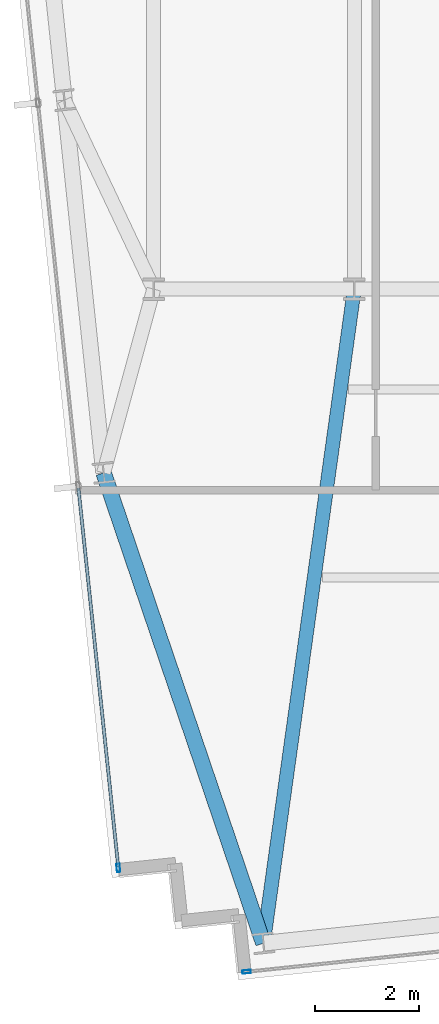
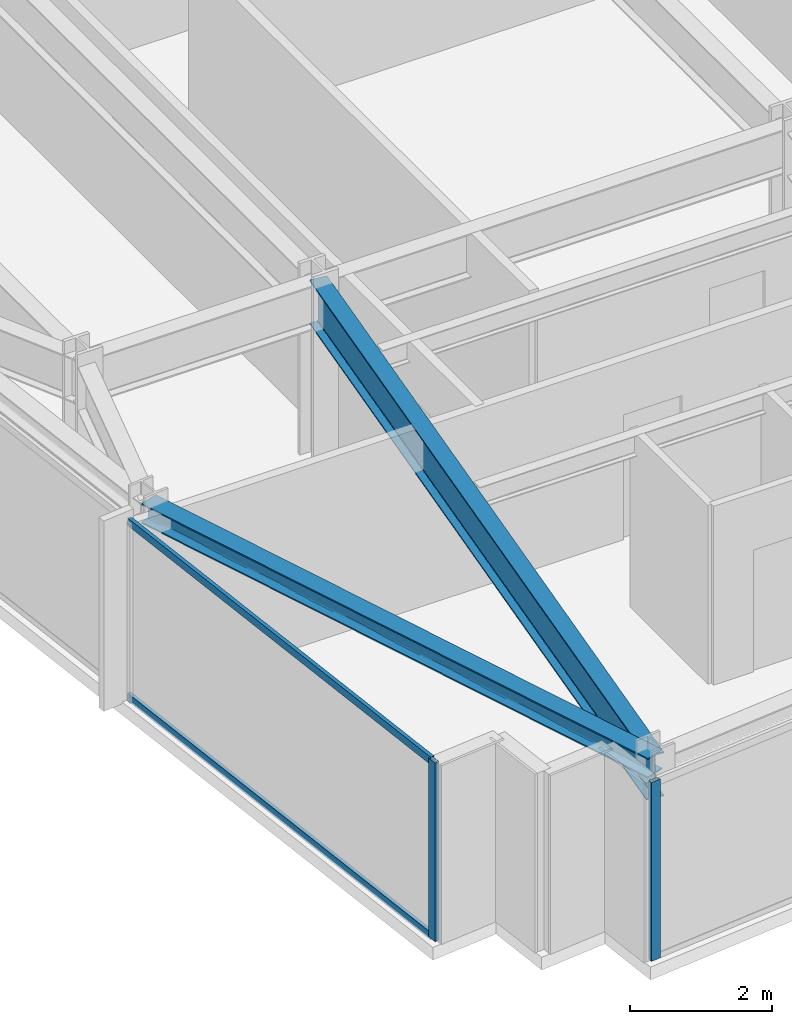
# One storey, part 2 of 33: 4 members, 2 beams, 2 elements without a shape of their own.
"""IFC4 building model written with IfcOpenShell, lengths in metres."""

from ifc_helpers import new_model, si_unit, direction, frame, origin, origin_2d, place, context, subcontext, project, spatial, hollow_rectangle, i_section, extrude, material, material_profile, profile_set, type_object, element, aggregate, save


model = new_model("IFC4")

# Units and contexts
model_context = context("Model", 3, precision=1e-05, world=origin(), true_north=direction((0.0, 1.0)))
body_context = subcontext(model_context, "Body", "Model", "MODEL_VIEW")
ifc_project = project(units=[si_unit("LENGTHUNIT", "METRE"), si_unit("AREAUNIT", "SQUARE_METRE"), si_unit("VOLUMEUNIT", "CUBIC_METRE"), si_unit("PLANEANGLEUNIT", "RADIAN"), si_unit("MASSUNIT", "GRAM", prefix="KILO")], contexts=[model_context])

# Site, building, storey
site_placement = place(None, origin())
site = spatial("IfcSite", under=ifc_project, at=site_placement, CompositionType="ELEMENT")
building_placement = place(site_placement, origin())
building = spatial("IfcBuilding", under=site, at=building_placement, Name="Yelkora Congress Tower", CompositionType="ELEMENT")
storey_placement = place(building_placement, frame((0.0, 0.0, 227.60009765625)))
storey = spatial("IfcBuildingStorey", under=building, at=storey_placement, Name="L63", CompositionType="ELEMENT", Elevation=227.60009765625)

# Beams
ifc_material_1 = material(Name="Steel S355J2", Category="steel")
ifc_material_profile_1 = material_profile(ifc_material_1, i_section(OverallWidth=0.26708984375, OverallDepth=0.761962890625, WebThickness=0.014404296875, FlangeThickness=0.021484375, FilletRadius=0.01708984375, at=origin_2d()), Name="IPE 750x173")
ifc_profile_set_1 = profile_set([ifc_material_profile_1], Name="Steel S355J2")
beam_type_1 = type_object("IfcBeamType", Name="BM-GIRD-IPE750", PredefinedType="BEAM", material=ifc_profile_set_1)
beam_1_placement = place(storey_placement, frame((21.299072265625, 12.678466796875, 2.698974609375), z_axis=(0.137713626184, 0.990472088028, 0.0), x_axis=(-0.990472088028, 0.137713626184, 0.0)))
element("IfcBeam", 1, at=beam_1_placement, inside=storey, type_object=beam_type_1, Name="L63 Primary Frame Girder S01", PredefinedType="BEAM", context=body_context, shape_type="SweptSolid", body=[
    extrude(i_section(OverallWidth=0.26708984375, OverallDepth=0.761962890625, WebThickness=0.014404296875, FlangeThickness=0.021484375, FilletRadius=0.01708984375, at=origin_2d()), origin(), (0.0, 0.0, 1.0), 12.641845703125),
])
ifc_material_profile_2 = material_profile(ifc_material_1, i_section(OverallWidth=0.300048828125, OverallDepth=0.340087890625, WebThickness=0.011962890625, FlangeThickness=0.021484375, FilletRadius=0.027099609375, at=origin_2d()), Name="HEB 340")
ifc_profile_set_2 = profile_set([ifc_material_profile_2], Name="Steel S355J2")
beam_type_2 = type_object("IfcBeamType", Name="BM-SPAN-HEB340", PredefinedType="SPANDREL", material=ifc_profile_set_2)
beam_2_placement = place(storey_placement, frame((18.2412109375, 21.68310546875, 2.909912109375), z_axis=(0.321552459514, -0.94689176561, 0.0), x_axis=(0.94689176561, 0.321552459514, 0.0)))
element("IfcBeam", 2, at=beam_2_placement, inside=storey, type_object=beam_type_2, Name="L63 Perimeter Beam 2", PredefinedType="SPANDREL", context=body_context, shape_type="SweptSolid", body=[
    extrude(i_section(OverallWidth=0.300048828125, OverallDepth=0.340087890625, WebThickness=0.011962890625, FlangeThickness=0.021484375, FilletRadius=0.027099609375, at=origin_2d()), origin(), (0.0, 0.0, 1.0), 9.509765625),
])

# Curtain wall, member
ifc_material_2 = material(Name="Anodised aluminium and insulated glass", Category="aluminium")
curtain_wall_type = type_object("IfcCurtainWallType", Name="CW-SYS-B4", PredefinedType="NOTDEFINED", material=ifc_material_2)
curtain_wall_1_placement = place(storey_placement, origin())
curtain_wall_1 = element("IfcCurtainWall", 3, at=curtain_wall_1_placement, inside=storey, type_object=curtain_wall_type, Name="L63 Unitised Curtain Wall 5", PredefinedType="NOTDEFINED")
ifc_material_3 = material(Name="Anodised aluminium 6063-T6", Category="aluminium")
ifc_material_profile_3 = material_profile(ifc_material_3, hollow_rectangle(XDim=0.06494140625, YDim=0.159912109375, WallThickness=0.00390625, at=origin_2d()), Name="ALU 65x160x4")
ifc_profile_set_3 = profile_set([ifc_material_profile_3], Name="Anodised aluminium 6063-T6")
member_type_1 = type_object("IfcMemberType", Name="MEM-ML-B4", PredefinedType="MULLION", material=ifc_profile_set_3)
member_1_placement = place(storey_placement, frame((18.523193359375, 14.118896484375, 0.0), z_axis=(0.0, 0.0, 1.0), x_axis=(-0.994522145958, -0.104526079034, 0.0)))
member_1 = element("IfcMember", 4, at=member_1_placement, type_object=member_type_1, Name="CW-B4 mullion 1", PredefinedType="MULLION", context=body_context, shape_type="SweptSolid", body=[
    extrude(hollow_rectangle(XDim=0.06494140625, YDim=0.159912109375, WallThickness=0.00390625, at=origin_2d()), origin(), (0.0, 0.0, 1.0), 3.079833984375),
])

curtain_wall_2_placement = place(storey_placement, origin())
curtain_wall_2 = element("IfcCurtainWall", 5, at=curtain_wall_2_placement, inside=storey, type_object=curtain_wall_type, Name="L63 Unitised Curtain Wall 20", PredefinedType="NOTDEFINED")
member_2_placement = place(storey_placement, frame((20.976806640625, 12.1318359375, 0.0), z_axis=(0.0, 0.0, 1.0), x_axis=(0.104526664994, -0.994522084373, 0.0)))
member_2 = element("IfcMember", 6, at=member_2_placement, type_object=member_type_1, Name="CW-B4 mullion 8", PredefinedType="MULLION", context=body_context, shape_type="SweptSolid", body=[
    extrude(hollow_rectangle(XDim=0.06494140625, YDim=0.159912109375, WallThickness=0.00390625, at=origin_2d()), origin(), (0.0, 0.0, 1.0), 3.079833984375),
])
aggregate(curtain_wall_2, [member_2])

# Member
ifc_material_profile_4 = material_profile(ifc_material_3, hollow_rectangle(XDim=0.06005859375, YDim=0.1298828125, WallThickness=0.00390625, at=origin_2d()), Name="ALU 60x130x4")
ifc_profile_set_4 = profile_set([ifc_material_profile_4], Name="Anodised aluminium 6063-T6")
member_type_2 = type_object("IfcMemberType", Name="MEM-TR-B4", PredefinedType="USERDEFINED", material=ifc_profile_set_4)
member_3_placement = place(storey_placement, frame((18.52001953125, 14.151123046875, 0.02978515625), z_axis=(-0.104527725728, 0.994521972886, 0.0), x_axis=(-0.994521972886, -0.104527725728, 0.0)))
member_3 = element("IfcMember", 7, at=member_3_placement, type_object=member_type_2, Name="CW-B4 transom 1.1", ObjectType="TRANSOM", PredefinedType="USERDEFINED", context=body_context, shape_type="SweptSolid", body=[
    extrude(hollow_rectangle(XDim=0.06005859375, YDim=0.1298828125, WallThickness=0.00390625, at=origin_2d()), origin(), (0.0, 0.0, 1.0), 7.282470703125),
])

member_4_placement = place(storey_placement, frame((18.52001953125, 14.151123046875, 3.0498046875), z_axis=(-0.104527725728, 0.994521972886, 0.0), x_axis=(-0.994521972886, -0.104527725728, 0.0)))
member_4 = element("IfcMember", 8, at=member_4_placement, type_object=member_type_2, Name="CW-B4 transom 1.2", ObjectType="TRANSOM", PredefinedType="USERDEFINED", context=body_context, shape_type="SweptSolid", body=[
    extrude(hollow_rectangle(XDim=0.06005859375, YDim=0.1298828125, WallThickness=0.00390625, at=origin_2d()), origin(), (0.0, 0.0, 1.0), 7.282470703125),
])

aggregate(curtain_wall_1, [member_1, member_3, member_4])

save(model, "model.ifc")
